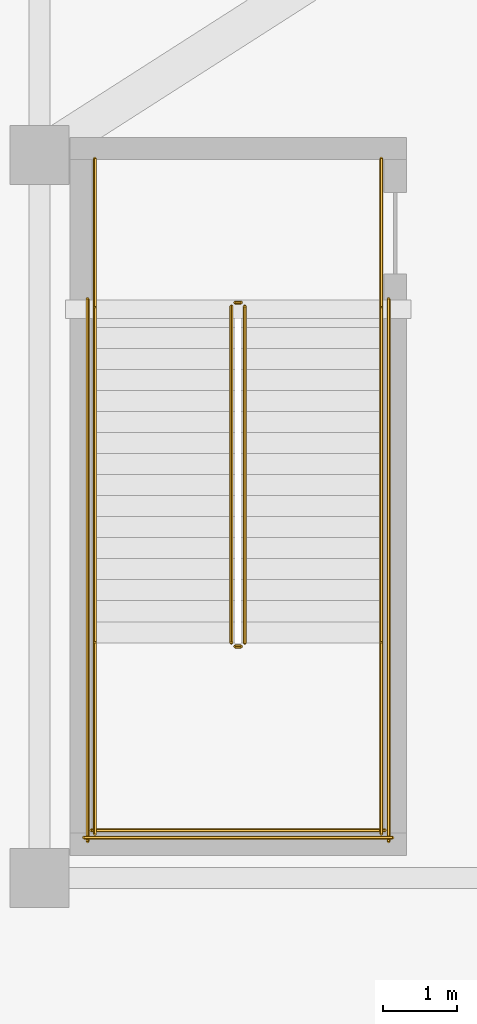
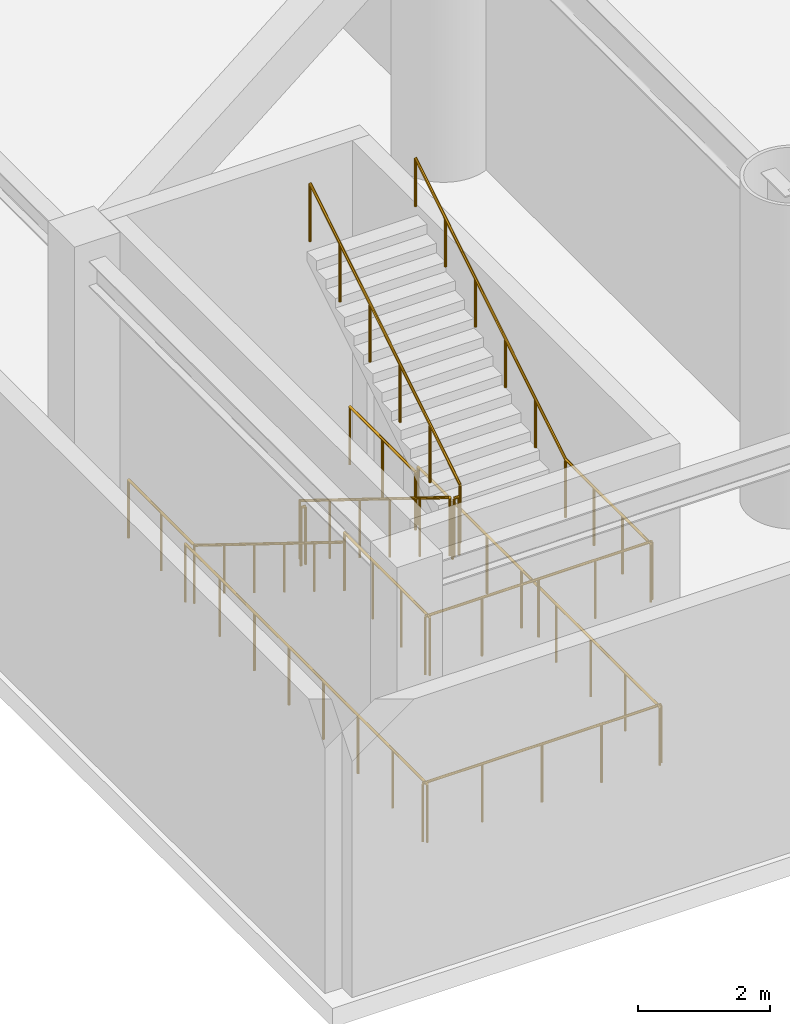
# One storey, part 11 of 17: 14 railings.
"""IFC4 building model written with IfcOpenShell, lengths in metres."""

import ifcopenshell
import ifcopenshell.guid

model = None  # the IFC model being written
_history = None  # IfcOwnerHistory: only IFC2X3 demands one
_inside = {}  # id of a spatial element -> (the spatial element, [elements in it])
_under = {}  # id of a project, library or spatial element -> (it, [spatial elements below it])
_declared = {}  # id of a project -> (the project, [libraries it declares])
_typed = {}  # id of a type object -> (the type object, [elements of that type])
_made_of = {}  # id of a material, layer set ... -> (it, [elements and type objects made of it])


def new_model(schema):
    """Start an empty IFC model of exactly this schema.

    Asked for "IFC4X3", IfcOpenShell would pick the latest addendum, in which some entities
    have other attributes; the version numbers below select the first issue.
    IFC2X3 requires an IfcOwnerHistory on every rooted entity: one is made here for all.
    """
    global model, _history
    if schema == "IFC4X3":
        model = ifcopenshell.file(schema_version=(4, 3, 0, 0))
    else:
        model = ifcopenshell.file(schema=schema)
    _inside.clear()
    _under.clear()
    _declared.clear()
    _typed.clear()
    _made_of.clear()
    _history = None
    if model.schema == "IFC2X3":
        org = make("IfcOrganization", Name="unknown")
        user = make(
            "IfcPersonAndOrganization",
            ThePerson=make("IfcPerson", FamilyName="unknown"),
            TheOrganization=org,
        )
        app = make(
            "IfcApplication",
            ApplicationDeveloper=org,
            Version="unknown",
            ApplicationFullName="unknown",
            ApplicationIdentifier="unknown",
        )
        _history = make(
            "IfcOwnerHistory",
            OwningUser=user,
            OwningApplication=app,
            ChangeAction="ADDED",
            CreationDate=0,
        )
    return model


def make(cls, **values):
    """One entity of the class cls with the attributes given. An attribute that is None is left unset."""
    return model.create_entity(
        cls, **{name: value for name, value in values.items() if value is not None}
    )


def rooted(cls, **values):
    """An entity with a GlobalId (a new one), such as an element, a storey or a relation."""
    return make(cls, GlobalId=ifcopenshell.guid.new(), OwnerHistory=_history, **values)


def si_unit(unit_type, name, prefix=None):
    """IfcSIUnit, for example si_unit("LENGTHUNIT", "METRE", prefix="MILLI")."""
    return make("IfcSIUnit", UnitType=unit_type, Prefix=prefix, Name=name)


def assignment(units):
    """IfcUnitAssignment: the units of a project."""
    return None if units is None else make("IfcUnitAssignment", Units=units)


def point(xyz):
    """IfcCartesianPoint."""
    return None if xyz is None else make("IfcCartesianPoint", Coordinates=xyz)


def direction(xyz):
    """IfcDirection."""
    return None if xyz is None else make("IfcDirection", DirectionRatios=xyz)


def frame(location, z_axis=None, x_axis=None):
    """IfcAxis2Placement3D, a coordinate frame: its origin and axes. An axis left out is left unset."""
    return make(
        "IfcAxis2Placement3D",
        Location=point(location),
        Axis=direction(z_axis),
        RefDirection=direction(x_axis),
    )


def frame_2d(location, x_axis=None):
    """IfcAxis2Placement2D, a coordinate frame in the plane: its origin and x axis."""
    return make(
        "IfcAxis2Placement2D", Location=point(location), RefDirection=direction(x_axis)
    )


def origin():
    """The frame at (0, 0, 0) with its axes left unset."""
    return frame((0.0, 0.0, 0.0))


def origin_2d():
    """The frame at (0, 0) in the plane with its x axis left unset."""
    return frame_2d((0.0, 0.0))


def place(relative_to, where):
    """IfcLocalPlacement: puts the frame where relative to a parent placement (None: the world)."""
    return make(
        "IfcLocalPlacement", PlacementRelTo=relative_to, RelativePlacement=where
    )


def context(
    kind, dimensions, precision=None, world=None, true_north=None, identifier=None
):
    """IfcGeometricRepresentationContext, for example the 3D "Model" context."""
    return make(
        "IfcGeometricRepresentationContext",
        ContextIdentifier=identifier,
        ContextType=kind,
        CoordinateSpaceDimension=dimensions,
        Precision=precision,
        WorldCoordinateSystem=world,
        TrueNorth=true_north,
    )


def subcontext(parent, identifier, kind, view, scale=None):
    """IfcGeometricRepresentationSubContext, for example "Body" below "Model"."""
    return make(
        "IfcGeometricRepresentationSubContext",
        ContextIdentifier=identifier,
        ContextType=kind,
        ParentContext=parent,
        TargetScale=scale,
        TargetView=view,
    )


def project(units=None, contexts=None):
    """IfcProject with its units and contexts."""
    return rooted(
        "IfcProject",
        Name="project",
        RepresentationContexts=contexts,
        UnitsInContext=assignment(units),
    )


def spatial(cls, under=None, at=None, **own):
    """A site, building, storey or space (cls), placed at a placement, below another one or the project."""
    s = rooted(cls, ObjectPlacement=at, **own)
    if under is not None:
        _under.setdefault(under.id(), (under, []))[1].append(s)
    return s


def profile(cls, at=None, kind="AREA", **sizes):
    """A parametric profile (cls). Its sizes go by their IFC names, for example OverallWidth=200.0."""
    return make(cls, ProfileType=kind, Position=at, **sizes)


def circle(**sizes):
    """IfcCircleProfileDef."""
    return profile("IfcCircleProfileDef", **sizes)


def extrude(swept, where, along, depth):
    """IfcExtrudedAreaSolid: the profile swept, set in the frame where, extruded along a direction by depth."""
    return make(
        "IfcExtrudedAreaSolid",
        SweptArea=swept,
        Position=where,
        ExtrudedDirection=direction(along),
        Depth=depth,
    )


def shape(context_of_items, identifier, shape_type, items):
    """IfcShapeRepresentation: the items that make up one representation, for example the "Body"."""
    return make(
        "IfcShapeRepresentation",
        ContextOfItems=context_of_items,
        RepresentationIdentifier=identifier,
        RepresentationType=shape_type,
        Items=items,
    )


def material(Name=None, Category=None):
    """IfcMaterial."""
    return make("IfcMaterial", Name=Name, Category=Category)


def made_of(thing, what):
    """Note that an element or type object is made of a material, layer set ...; save() writes the relation."""
    if what is not None:
        _made_of.setdefault(what.id(), (what, []))[1].append(thing)
    return thing


def type_object(cls, material=None, **own):
    """A type object (cls), such as IfcWallType, which elements share."""
    return made_of(rooted(cls, **own), material)


def element(
    cls,
    number,
    at=None,
    inside=None,
    cuts=None,
    type_object=None,
    material=None,
    context=None,
    identifier="Body",
    shape_type=None,
    held_by="IfcProductDefinitionShape",
    body=None,
    shapes=None,
    **own,
):
    """One element of the class cls, such as IfcWall. Its Tag is "e" and its number.

    at: its placement. inside: the storey or other place that contains it. cuts: it is an
    opening in that element (IfcRelVoidsElement). A single representation is given by context,
    identifier, shape_type and body (its items); several are given by shapes. held_by: the class
    of the entity that holds the representations. save() writes the other relations.
    """
    e = rooted(cls, Tag="e%d" % number, ObjectPlacement=at, **own)
    if body is not None:
        shapes = [shape(context, identifier, shape_type, body)]
    if shapes is not None:
        e.Representation = make(held_by, Representations=shapes)
    if inside is not None:
        _inside.setdefault(inside.id(), (inside, []))[1].append(e)
    if cuts is not None:
        rooted(
            "IfcRelVoidsElement", RelatingBuildingElement=cuts, RelatedOpeningElement=e
        )
    if type_object is not None:
        _typed.setdefault(type_object.id(), (type_object, []))[1].append(e)
    return made_of(e, material)


def aggregate(whole, parts):
    """IfcRelAggregates: a whole, such as a stair, and the parts it consists of."""
    return rooted("IfcRelAggregates", RelatingObject=whole, RelatedObjects=parts)


def save(model, path):
    """Write the relations noted so far, then the file.

    IfcRelAggregates (storeys below a building ...), IfcRelContainedInSpatialStructure (elements
    in a storey), IfcRelDefinesByType, IfcRelAssociatesMaterial and IfcRelDeclares: one each for
    every whole, place, type object, material and project.
    """
    for whole, parts in _under.values():
        aggregate(whole, parts)
    for where, things in _inside.values():
        rooted(
            "IfcRelContainedInSpatialStructure",
            RelatedElements=things,
            RelatingStructure=where,
        )
    for kind, things in _typed.values():
        rooted("IfcRelDefinesByType", RelatedObjects=things, RelatingType=kind)
    for what, things in _made_of.values():
        rooted("IfcRelAssociatesMaterial", RelatedObjects=things, RelatingMaterial=what)
    for by, libraries in _declared.values():
        rooted("IfcRelDeclares", RelatingContext=by, RelatedDefinitions=libraries)
    model.write(path)


model = new_model("IFC4")

# Units and contexts
model_context = context("Model", 3, precision=1e-05, world=origin(), true_north=direction((0.0, 1.0)))
body_context = subcontext(model_context, "Body", "Model", "MODEL_VIEW")
ifc_project = project(units=[si_unit("LENGTHUNIT", "METRE"), si_unit("AREAUNIT", "SQUARE_METRE"), si_unit("VOLUMEUNIT", "CUBIC_METRE"), si_unit("PLANEANGLEUNIT", "RADIAN"), si_unit("MASSUNIT", "GRAM", prefix="KILO")], contexts=[model_context])

# Site, building, storey
site_placement = place(None, origin())
site = spatial("IfcSite", under=ifc_project, at=site_placement, CompositionType="ELEMENT")
building_placement = place(site_placement, origin())
building = spatial("IfcBuilding", under=site, at=building_placement, Name="Bramvorn Convention Spire", CompositionType="ELEMENT")
storey_placement = place(building_placement, frame((0.0, 0.0, 24.0)))
storey = spatial("IfcBuildingStorey", under=building, at=storey_placement, Name="L04", CompositionType="ELEMENT", Elevation=24.0)

# Railings
ifc_material_1 = material(Name="Painted Steel Balustrade & Guardrail", Category="steel")
railing_type_1 = type_object("IfcRailingType", Name="RL-STAIR-GUARD-1100", PredefinedType="GUARDRAIL", material=ifc_material_1)
railing_1_placement = place(storey_placement, frame((5.39990234375, 10.35009765625, 0.176513671875)))
element("IfcRailing", 1, at=railing_1_placement, inside=storey, type_object=railing_type_1, Name="L04 ST4 stair guard 1", PredefinedType="GUARDRAIL", context=body_context, shape_type="SweptSolid", body=[
    extrude(circle(Radius=0.02392578125, at=origin_2d()), frame((0.0, 0.0, 1.076171875), z_axis=(0.0, -0.850215668316, 0.526434532824), x_axis=(1.0, 0.0, 0.0)), (0.0, 0.0, 1.0), 5.363525390625),
    extrude(circle(Radius=0.02099609375, at=origin_2d()), origin(), (0.0, 0.0, 1.0), 1.052001953125),
    extrude(circle(Radius=0.02099609375, at=origin_2d()), frame((0.0, -0.912109375, 0.564697265625)), (0.0, 0.0, 1.0), 1.052001953125),
    extrude(circle(Radius=0.02099609375, at=origin_2d()), frame((0.0, -1.823974609375, 1.12939453125)), (0.0, 0.0, 1.0), 1.052001953125),
    extrude(circle(Radius=0.02099609375, at=origin_2d()), frame((0.0, -2.736083984375, 1.694091796875)), (0.0, 0.0, 1.0), 1.052001953125),
    extrude(circle(Radius=0.02099609375, at=origin_2d()), frame((0.0, -3.64794921875, 2.2587890625)), (0.0, 0.0, 1.0), 1.052001953125),
    extrude(circle(Radius=0.02099609375, at=origin_2d()), frame((0.0, -4.56005859375, 2.823486328125)), (0.0, 0.0, 1.0), 1.052001953125),
])
railing_2_placement = place(storey_placement, frame((5.449951171875, 5.739990234375, 3.0)))
element("IfcRailing", 2, at=railing_2_placement, inside=storey, type_object=railing_type_1, Name="L04 ST4 stair guard 2", PredefinedType="GUARDRAIL", context=body_context, shape_type="SweptSolid", body=[
    extrude(circle(Radius=0.02392578125, at=origin_2d()), frame((0.0, 0.0, 1.076171875), z_axis=(1.0, 0.0, 0.0), x_axis=(0.0, 1.0, 0.0)), (0.0, 0.0, 1.0), 0.080078125),
    extrude(circle(Radius=0.02099609375, at=origin_2d()), origin(), (0.0, 0.0, 1.0), 1.052001953125),
    extrude(circle(Radius=0.02099609375, at=origin_2d()), frame((0.080078125, 0.0, 0.0)), (0.0, 0.0, 1.0), 1.052001953125),
])
for number, where, name in (
    (3, (3.550048828125, 5.7900390625, 3.0), "L04 ST4 stair guard 3"),
    (4, (7.429931640625, 5.7900390625, 3.0), "L04 ST4 stair guard 4"),
):
    element("IfcRailing", number, at=place(storey_placement, frame(where)), inside=storey, type_object=railing_type_1, Name=name, PredefinedType="GUARDRAIL", context=body_context, shape_type="SweptSolid", body=[
        extrude(circle(Radius=0.02392578125, at=origin_2d()), frame((0.0, 0.0, 1.076171875), z_axis=(0.0, -1.0, 0.0), x_axis=(1.0, 0.0, 0.0)), (0.0, 0.0, 1.0), 2.590087890625),
        extrude(circle(Radius=0.02099609375, at=origin_2d()), origin(), (0.0, 0.0, 1.0), 1.052001953125),
        extrude(circle(Radius=0.02099609375, at=origin_2d()), frame((0.0, -0.86328125, 0.0)), (0.0, 0.0, 1.0), 1.052001953125),
        extrude(circle(Radius=0.02099609375, at=origin_2d()), frame((0.0, -1.726806640625, 0.0)), (0.0, 0.0, 1.0), 1.052001953125),
        extrude(circle(Radius=0.02099609375, at=origin_2d()), frame((0.0, -2.590087890625, 0.0)), (0.0, 0.0, 1.0), 1.052001953125),
    ])
railing_3_placement = place(storey_placement, frame((3.5, 3.25, 3.0)))
element("IfcRailing", 5, at=railing_3_placement, inside=storey, type_object=railing_type_1, Name="L04 ST4 stair guard 5", PredefinedType="GUARDRAIL", context=body_context, shape_type="SweptSolid", body=[
    extrude(circle(Radius=0.02392578125, at=origin_2d()), frame((0.0, 0.0, 1.076171875), z_axis=(1.0, 0.0, 0.0), x_axis=(0.0, 1.0, 0.0)), (0.0, 0.0, 1.0), 3.97998046875),
    extrude(circle(Radius=0.02099609375, at=origin_2d()), origin(), (0.0, 0.0, 1.0), 1.052001953125),
    extrude(circle(Radius=0.02099609375, at=origin_2d()), frame((0.9951171875, 0.0, 0.0)), (0.0, 0.0, 1.0), 1.052001953125),
    extrude(circle(Radius=0.02099609375, at=origin_2d()), frame((1.989990234375, 0.0, 0.0)), (0.0, 0.0, 1.0), 1.052001953125),
    extrude(circle(Radius=0.02099609375, at=origin_2d()), frame((2.98486328125, 0.0, 0.0)), (0.0, 0.0, 1.0), 1.052001953125),
    extrude(circle(Radius=0.02099609375, at=origin_2d()), frame((3.97998046875, 0.0, 0.0)), (0.0, 0.0, 1.0), 1.052001953125),
])
railing_4_placement = place(storey_placement, frame((5.580078125, 5.7900390625, 3.176513671875)))
element("IfcRailing", 6, at=railing_4_placement, inside=storey, type_object=railing_type_1, Name="L04 ST4 stair guard 6", PredefinedType="GUARDRAIL", context=body_context, shape_type="SweptSolid", body=[
    extrude(circle(Radius=0.02392578125, at=origin_2d()), frame((0.0, 0.0, 1.076171875), z_axis=(0.0, 0.850215668316, 0.526434532824), x_axis=(-1.0, 0.0, 0.0)), (0.0, 0.0, 1.0), 5.363525390625),
    extrude(circle(Radius=0.02099609375, at=origin_2d()), origin(), (0.0, 0.0, 1.0), 1.052001953125),
    extrude(circle(Radius=0.02099609375, at=origin_2d()), frame((0.0, 0.912109375, 0.564697265625)), (0.0, 0.0, 1.0), 1.052001953125),
    extrude(circle(Radius=0.02099609375, at=origin_2d()), frame((0.0, 1.823974609375, 1.12939453125)), (0.0, 0.0, 1.0), 1.052001953125),
    extrude(circle(Radius=0.02099609375, at=origin_2d()), frame((0.0, 2.736083984375, 1.694091796875)), (0.0, 0.0, 1.0), 1.052001953125),
    extrude(circle(Radius=0.02099609375, at=origin_2d()), frame((0.0, 3.64794921875, 2.2587890625)), (0.0, 0.0, 1.0), 1.052001953125),
    extrude(circle(Radius=0.02099609375, at=origin_2d()), frame((0.0, 4.56005859375, 2.823486328125)), (0.0, 0.0, 1.0), 1.052001953125),
])
railing_5_placement = place(storey_placement, frame((5.449951171875, 10.39990234375, 0.0)))
element("IfcRailing", 7, at=railing_5_placement, inside=storey, type_object=railing_type_1, Name="L04 ST4 stair guard 7", PredefinedType="GUARDRAIL", context=body_context, shape_type="SweptSolid", body=[
    extrude(circle(Radius=0.02392578125, at=origin_2d()), frame((0.0, 0.0, 1.076171875), z_axis=(1.0, 0.0, 0.0), x_axis=(0.0, 1.0, 0.0)), (0.0, 0.0, 1.0), 0.080078125),
    extrude(circle(Radius=0.02099609375, at=origin_2d()), origin(), (0.0, 0.0, 1.0), 1.052001953125),
    extrude(circle(Radius=0.02099609375, at=origin_2d()), frame((0.080078125, 0.0, 0.0)), (0.0, 0.0, 1.0), 1.052001953125),
])
for number, where, name in (
    (8, (3.550048828125, 12.35009765625, 0.0), "L04 ST4 stair guard 8"),
    (9, (7.429931640625, 12.35009765625, 0.0), "L04 ST4 stair guard 9"),
):
    element("IfcRailing", number, at=place(storey_placement, frame(where)), inside=storey, type_object=railing_type_1, Name=name, PredefinedType="GUARDRAIL", context=body_context, shape_type="SweptSolid", body=[
        extrude(circle(Radius=0.02392578125, at=origin_2d()), frame((0.0, 0.0, 1.076171875), z_axis=(0.0, -1.0, 0.0), x_axis=(1.0, 0.0, 0.0)), (0.0, 0.0, 1.0), 2.0),
        extrude(circle(Radius=0.02099609375, at=origin_2d()), origin(), (0.0, 0.0, 1.0), 1.052001953125),
        extrude(circle(Radius=0.02099609375, at=origin_2d()), frame((0.0, -1.0, 0.0)), (0.0, 0.0, 1.0), 1.052001953125),
        extrude(circle(Radius=0.02099609375, at=origin_2d()), frame((0.0, -2.0, 0.0)), (0.0, 0.0, 1.0), 1.052001953125),
    ])
for number, where, name in (
    (10, (3.449951171875, 10.449951171875, 0.0), "L04 ST4 stair guard 10"),
    (11, (7.530029296875, 10.449951171875, 0.0), "L04 ST4 stair guard 11"),
):
    element("IfcRailing", number, at=place(storey_placement, frame(where)), inside=storey, type_object=railing_type_1, Name=name, PredefinedType="GUARDRAIL", context=body_context, shape_type="SweptSolid", body=[
        extrude(circle(Radius=0.02392578125, at=origin_2d()), frame((0.0, 0.0, 1.076171875), z_axis=(0.0, -1.0, 0.0), x_axis=(1.0, 0.0, 0.0)), (0.0, 0.0, 1.0), 7.349853515625),
        extrude(circle(Radius=0.02099609375, at=origin_2d()), origin(), (0.0, 0.0, 1.0), 1.052001953125),
        extrude(circle(Radius=0.02099609375, at=origin_2d()), frame((0.0, -1.050048828125, 0.0)), (0.0, 0.0, 1.0), 1.052001953125),
        extrude(circle(Radius=0.02099609375, at=origin_2d()), frame((0.0, -2.099853515625, 0.0)), (0.0, 0.0, 1.0), 1.052001953125),
        extrude(circle(Radius=0.02099609375, at=origin_2d()), frame((0.0, -3.14990234375, 0.0)), (0.0, 0.0, 1.0), 1.052001953125),
        extrude(circle(Radius=0.02099609375, at=origin_2d()), frame((0.0, -4.199951171875, 0.0)), (0.0, 0.0, 1.0), 1.052001953125),
        extrude(circle(Radius=0.02099609375, at=origin_2d()), frame((0.0, -5.25, 0.0)), (0.0, 0.0, 1.0), 1.052001953125),
        extrude(circle(Radius=0.02099609375, at=origin_2d()), frame((0.0, -6.2998046875, 0.0)), (0.0, 0.0, 1.0), 1.052001953125),
        extrude(circle(Radius=0.02099609375, at=origin_2d()), frame((0.0, -7.349853515625, 0.0)), (0.0, 0.0, 1.0), 1.052001953125),
    ])
railing_6_placement = place(storey_placement, frame((3.39990234375, 3.14990234375, 0.0)))
element("IfcRailing", 12, at=railing_6_placement, inside=storey, type_object=railing_type_1, Name="L04 ST4 stair guard 12", PredefinedType="GUARDRAIL", context=body_context, shape_type="SweptSolid", body=[
    extrude(circle(Radius=0.02392578125, at=origin_2d()), frame((0.0, 0.0, 1.076171875), z_axis=(1.0, 0.0, 0.0), x_axis=(0.0, 1.0, 0.0)), (0.0, 0.0, 1.0), 4.18017578125),
    extrude(circle(Radius=0.02099609375, at=origin_2d()), origin(), (0.0, 0.0, 1.0), 1.052001953125),
    extrude(circle(Radius=0.02099609375, at=origin_2d()), frame((1.044921875, 0.0, 0.0)), (0.0, 0.0, 1.0), 1.052001953125),
    extrude(circle(Radius=0.02099609375, at=origin_2d()), frame((2.090087890625, 0.0, 0.0)), (0.0, 0.0, 1.0), 1.052001953125),
    extrude(circle(Radius=0.02099609375, at=origin_2d()), frame((3.13525390625, 0.0, 0.0)), (0.0, 0.0, 1.0), 1.052001953125),
    extrude(circle(Radius=0.02099609375, at=origin_2d()), frame((4.18017578125, 0.0, 0.0)), (0.0, 0.0, 1.0), 1.052001953125),
])
ifc_material_2 = material(Name="Brushed Bronze Tubular Handrail", Category="aluminium")
railing_type_2 = type_object("IfcRailingType", Name="RL-STAIR-HR-920", PredefinedType="HANDRAIL", material=ifc_material_2)
railing_7_placement = place(storey_placement, frame((3.550048828125, 10.35009765625, 0.176513671875)))
element("IfcRailing", 13, at=railing_7_placement, inside=storey, type_object=railing_type_2, Name="L04 ST4 stair handrail 1", PredefinedType="HANDRAIL", context=body_context, shape_type="SweptSolid", body=[
    extrude(circle(Radius=0.02392578125, at=origin_2d()), frame((0.0, 0.0, 0.89599609375), z_axis=(0.0, -0.850215668316, 0.526434532824), x_axis=(1.0, 0.0, 0.0)), (0.0, 0.0, 1.0), 5.363525390625),
    extrude(circle(Radius=0.02099609375, at=origin_2d()), origin(), (0.0, 0.0, 1.0), 0.871826171875),
    extrude(circle(Radius=0.02099609375, at=origin_2d()), frame((0.0, -0.912109375, 0.564697265625)), (0.0, 0.0, 1.0), 0.871826171875),
    extrude(circle(Radius=0.02099609375, at=origin_2d()), frame((0.0, -1.823974609375, 1.12939453125)), (0.0, 0.0, 1.0), 0.871826171875),
    extrude(circle(Radius=0.02099609375, at=origin_2d()), frame((0.0, -2.736083984375, 1.694091796875)), (0.0, 0.0, 1.0), 0.871826171875),
    extrude(circle(Radius=0.02099609375, at=origin_2d()), frame((0.0, -3.64794921875, 2.2587890625)), (0.0, 0.0, 1.0), 0.871826171875),
    extrude(circle(Radius=0.02099609375, at=origin_2d()), frame((0.0, -4.56005859375, 2.823486328125)), (0.0, 0.0, 1.0), 0.871826171875),
])
railing_8_placement = place(storey_placement, frame((7.429931640625, 5.7900390625, 3.176513671875)))
element("IfcRailing", 14, at=railing_8_placement, inside=storey, type_object=railing_type_2, Name="L04 ST4 stair handrail 2", PredefinedType="HANDRAIL", context=body_context, shape_type="SweptSolid", body=[
    extrude(circle(Radius=0.02392578125, at=origin_2d()), frame((0.0, 0.0, 0.89599609375), z_axis=(0.0, 0.850215668316, 0.526434532824), x_axis=(-1.0, 0.0, 0.0)), (0.0, 0.0, 1.0), 5.363525390625),
    extrude(circle(Radius=0.02099609375, at=origin_2d()), origin(), (0.0, 0.0, 1.0), 0.871826171875),
    extrude(circle(Radius=0.02099609375, at=origin_2d()), frame((0.0, 0.912109375, 0.564697265625)), (0.0, 0.0, 1.0), 0.871826171875),
    extrude(circle(Radius=0.02099609375, at=origin_2d()), frame((0.0, 1.823974609375, 1.12939453125)), (0.0, 0.0, 1.0), 0.871826171875),
    extrude(circle(Radius=0.02099609375, at=origin_2d()), frame((0.0, 2.736083984375, 1.694091796875)), (0.0, 0.0, 1.0), 0.871826171875),
    extrude(circle(Radius=0.02099609375, at=origin_2d()), frame((0.0, 3.64794921875, 2.2587890625)), (0.0, 0.0, 1.0), 0.871826171875),
    extrude(circle(Radius=0.02099609375, at=origin_2d()), frame((0.0, 4.56005859375, 2.823486328125)), (0.0, 0.0, 1.0), 0.871826171875),
])

save(model, "model.ifc")
